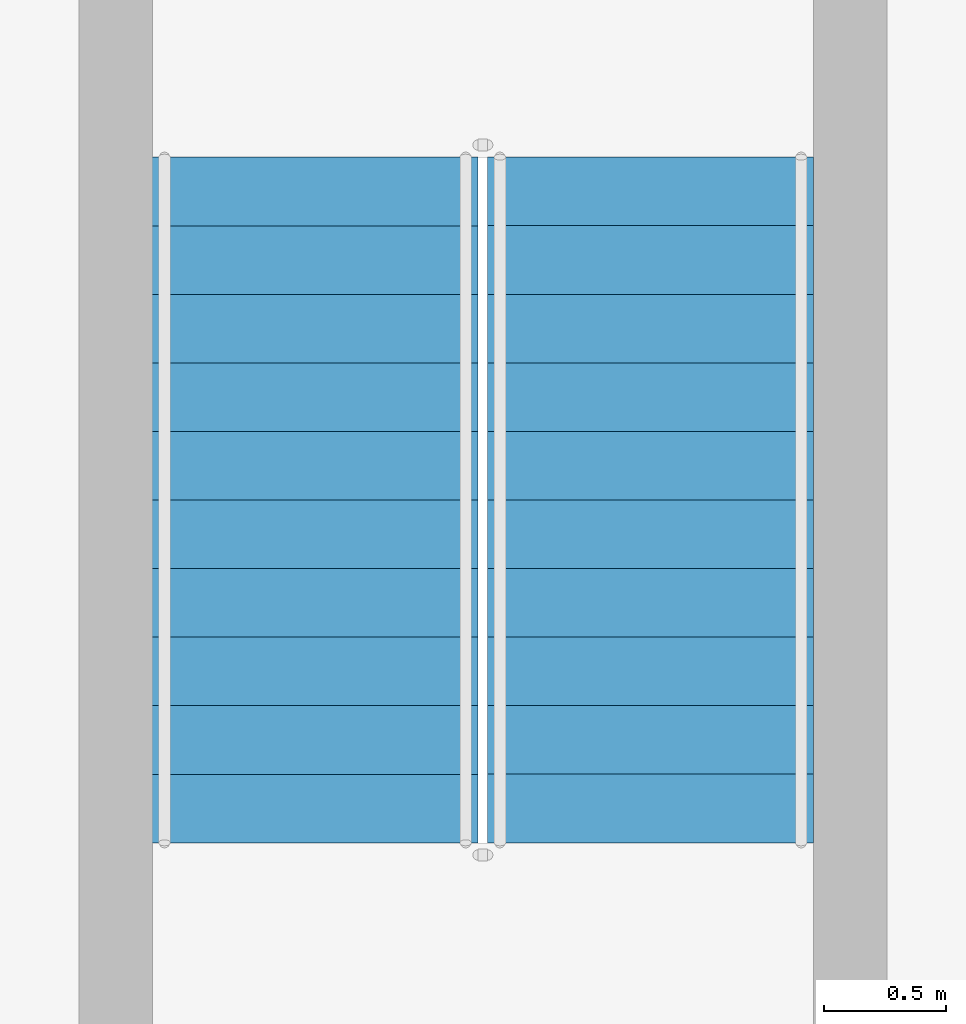
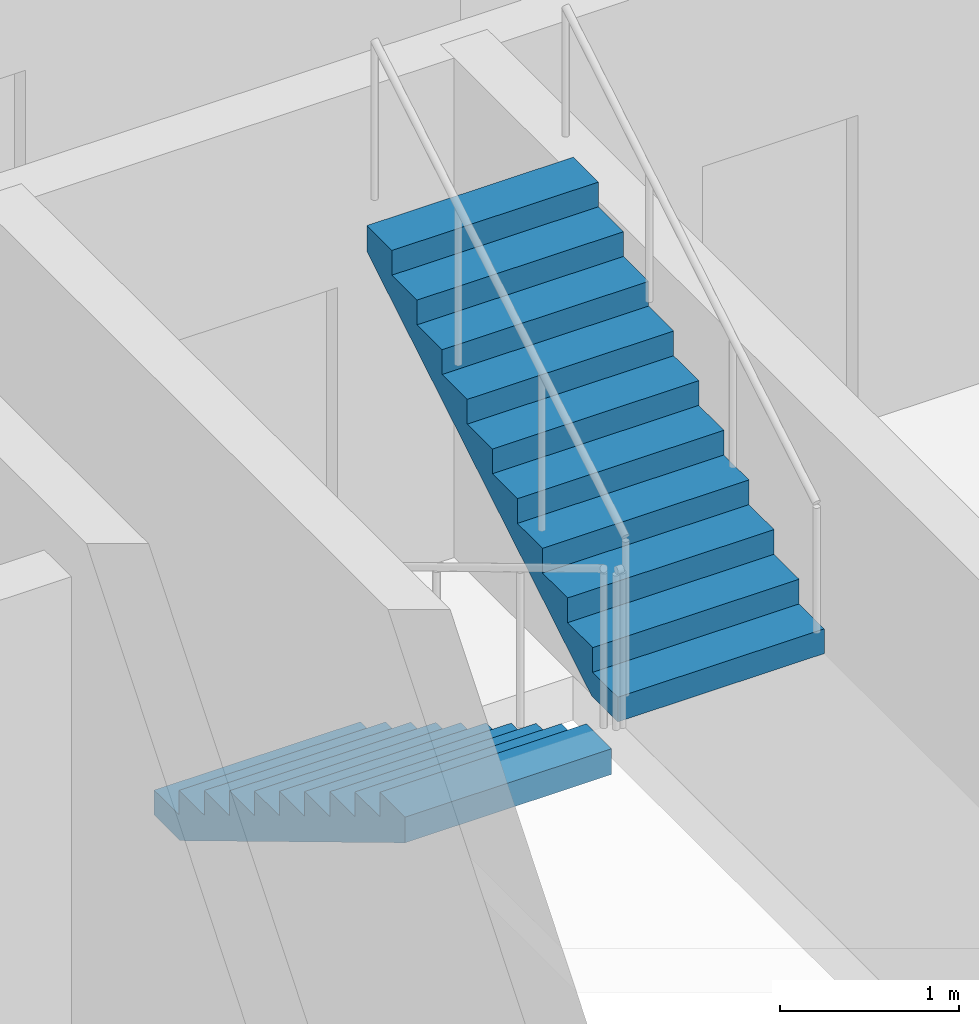
# One storey, part 25 of 32: 2 stair flights, 1 element without a shape of its own.
"""IFC4 building model written with IfcOpenShell, lengths in metres."""

from ifc_helpers import new_model, si_unit, direction, frame, origin, place, context, subcontext, project, spatial, triangles, source, transform, mapped, material, type_object, element, aggregate, save


model = new_model("IFC4")

# Units and contexts
model_context = context("Model", 3, precision=1e-05, world=origin(), true_north=direction((0.0, 1.0)))
body_context = subcontext(model_context, "Body", "Model", "MODEL_VIEW")
ifc_project = project(units=[si_unit("LENGTHUNIT", "METRE"), si_unit("AREAUNIT", "SQUARE_METRE"), si_unit("VOLUMEUNIT", "CUBIC_METRE"), si_unit("PLANEANGLEUNIT", "RADIAN"), si_unit("MASSUNIT", "GRAM", prefix="KILO")], contexts=[model_context])

# Site, building, storey
site_placement = place(None, origin())
site = spatial("IfcSite", under=ifc_project, at=site_placement, CompositionType="ELEMENT")
building_placement = place(site_placement, origin())
building = spatial("IfcBuilding", under=site, at=building_placement, Name="Ogive Portal Towers", CompositionType="ELEMENT")
storey_placement = place(building_placement, frame((0.0, 0.0, 59.39990234375)))
storey = spatial("IfcBuildingStorey", under=building, at=storey_placement, Name="L13", CompositionType="ELEMENT", Elevation=59.39990234375)

# Stair, stair flights
ifc_material = material(Name="Concrete C40/50", Category="concrete")
stair_type = type_object("IfcStairType", Name="INT-STAIR", PredefinedType="HALF_TURN_STAIR", material=ifc_material)
stair_placement = place(storey_placement, origin())
stair = element("IfcStair", 1, at=stair_placement, inside=storey, type_object=stair_type, Name="L13 Exit Stair ST-A4", PredefinedType="HALF_TURN_STAIR")
stair_flight_type = type_object("IfcStairFlightType", Name="INT-FLIGHT", PredefinedType="STRAIGHT", material=ifc_material)
shared_shape = source(origin(), body_context, "Body", "Tessellation", [
    triangles([(0.0, -0.6650390625, 0.0), (0.0, -0.384765625, 0.0), (0.0, -0.197021484375, 0.0), (0.0, -0.0830078125, 0.0), (0.0, -0.024658203125, 0.0), (0.0, -0.003173828125, 0.0), (0.0, 0.0, 0.0), (0.0, 0.003173828125, 0.0), (0.0, 0.024658203125, 0.0), (0.0, 0.0830078125, 0.0), (0.0, 0.197021484375, 0.0), (0.0, 0.384765625, 0.0), (0.0, 0.6650390625, 0.0), (0.0, -0.6650390625, 0.168212890625), (0.0, -0.384765625, 0.168212890625), (0.0, -0.197021484375, 0.168212890625), (0.0, -0.0830078125, 0.168212890625), (0.0, -0.024658203125, 0.168212890625), (0.0, -0.003173828125, 0.168212890625), (0.0, 0.0, 0.168212890625), (0.0, 0.003173828125, 0.168212890625), (0.0, 0.024658203125, 0.168212890625), (0.0, 0.0830078125, 0.168212890625), (0.0, 0.197021484375, 0.168212890625), (0.0, 0.384765625, 0.168212890625), (0.0, 0.6650390625, 0.168212890625), (0.280029296875, -0.6650390625, 0.168212890625), (0.280029296875, -0.384765625, 0.168212890625), (0.280029296875, -0.197021484375, 0.168212890625), (0.280029296875, -0.0830078125, 0.168212890625), (0.280029296875, -0.024658203125, 0.168212890625), (0.280029296875, -0.003173828125, 0.168212890625), (0.280029296875, 0.0, 0.168212890625), (0.280029296875, 0.003173828125, 0.168212890625), (0.280029296875, 0.024658203125, 0.168212890625), (0.280029296875, 0.0830078125, 0.168212890625), (0.280029296875, 0.197021484375, 0.168212890625), (0.280029296875, 0.384765625, 0.168212890625), (0.280029296875, 0.6650390625, 0.168212890625), (0.280029296875, -0.6650390625, 0.33642578125), (0.280029296875, -0.384765625, 0.33642578125), (0.280029296875, -0.197021484375, 0.33642578125), (0.280029296875, -0.0830078125, 0.33642578125), (0.280029296875, -0.024658203125, 0.33642578125), (0.280029296875, -0.003173828125, 0.33642578125), (0.280029296875, 0.0, 0.33642578125), (0.280029296875, 0.003173828125, 0.33642578125), (0.280029296875, 0.024658203125, 0.33642578125), (0.280029296875, 0.0830078125, 0.33642578125), (0.280029296875, 0.197021484375, 0.33642578125), (0.280029296875, 0.384765625, 0.33642578125), (0.280029296875, 0.6650390625, 0.33642578125), (0.56005859375, -0.6650390625, 0.33642578125), (0.56005859375, -0.384765625, 0.33642578125), (0.56005859375, -0.197021484375, 0.33642578125), (0.56005859375, -0.0830078125, 0.33642578125), (0.56005859375, -0.024658203125, 0.33642578125), (0.56005859375, -0.003173828125, 0.33642578125), (0.56005859375, 0.0, 0.33642578125), (0.56005859375, 0.003173828125, 0.33642578125), (0.56005859375, 0.024658203125, 0.33642578125), (0.56005859375, 0.0830078125, 0.33642578125), (0.56005859375, 0.197021484375, 0.33642578125), (0.56005859375, 0.384765625, 0.33642578125), (0.56005859375, 0.6650390625, 0.33642578125), (0.56005859375, -0.6650390625, 0.504638671875), (0.56005859375, -0.384765625, 0.504638671875), (0.56005859375, -0.197021484375, 0.504638671875), (0.56005859375, -0.0830078125, 0.504638671875), (0.56005859375, -0.024658203125, 0.504638671875), (0.56005859375, -0.003173828125, 0.504638671875), (0.56005859375, 0.0, 0.504638671875), (0.56005859375, 0.003173828125, 0.504638671875), (0.56005859375, 0.024658203125, 0.504638671875), (0.56005859375, 0.0830078125, 0.504638671875), (0.56005859375, 0.197021484375, 0.504638671875), (0.56005859375, 0.384765625, 0.504638671875), (0.56005859375, 0.6650390625, 0.504638671875), (0.840087890625, -0.6650390625, 0.504638671875), (0.840087890625, -0.384765625, 0.504638671875), (0.840087890625, -0.197021484375, 0.504638671875), (0.840087890625, -0.0830078125, 0.504638671875), (0.840087890625, -0.024658203125, 0.504638671875), (0.840087890625, -0.003173828125, 0.504638671875), (0.840087890625, 0.0, 0.504638671875), (0.840087890625, 0.003173828125, 0.504638671875), (0.840087890625, 0.024658203125, 0.504638671875), (0.840087890625, 0.0830078125, 0.504638671875), (0.840087890625, 0.197021484375, 0.504638671875), (0.840087890625, 0.384765625, 0.504638671875), (0.840087890625, 0.6650390625, 0.504638671875), (0.840087890625, -0.6650390625, 0.672607421875), (0.840087890625, -0.384765625, 0.672607421875), (0.840087890625, -0.197021484375, 0.672607421875), (0.840087890625, -0.0830078125, 0.672607421875), (0.840087890625, -0.024658203125, 0.672607421875), (0.840087890625, -0.003173828125, 0.672607421875), (0.840087890625, 0.0, 0.672607421875), (0.840087890625, 0.003173828125, 0.672607421875), (0.840087890625, 0.024658203125, 0.672607421875), (0.840087890625, 0.0830078125, 0.672607421875), (0.840087890625, 0.197021484375, 0.672607421875), (0.840087890625, 0.384765625, 0.672607421875), (0.840087890625, 0.6650390625, 0.672607421875), (1.1201171875, -0.6650390625, 0.672607421875), (1.1201171875, -0.384765625, 0.672607421875), (1.1201171875, -0.197021484375, 0.672607421875), (1.1201171875, -0.0830078125, 0.672607421875), (1.1201171875, -0.024658203125, 0.672607421875), (1.1201171875, -0.003173828125, 0.672607421875), (1.1201171875, 0.0, 0.672607421875), (1.1201171875, 0.003173828125, 0.672607421875), (1.1201171875, 0.024658203125, 0.672607421875), (1.1201171875, 0.0830078125, 0.672607421875), (1.1201171875, 0.197021484375, 0.672607421875), (1.1201171875, 0.384765625, 0.672607421875), (1.1201171875, 0.6650390625, 0.672607421875), (1.1201171875, -0.6650390625, 0.8408203125), (1.1201171875, -0.384765625, 0.8408203125), (1.1201171875, -0.197021484375, 0.8408203125), (1.1201171875, -0.0830078125, 0.8408203125), (1.1201171875, -0.024658203125, 0.8408203125), (1.1201171875, -0.003173828125, 0.8408203125), (1.1201171875, 0.0, 0.8408203125), (1.1201171875, 0.003173828125, 0.8408203125), (1.1201171875, 0.024658203125, 0.8408203125), (1.1201171875, 0.0830078125, 0.8408203125), (1.1201171875, 0.197021484375, 0.8408203125), (1.1201171875, 0.384765625, 0.8408203125), (1.1201171875, 0.6650390625, 0.8408203125), (1.39990234375, -0.6650390625, 0.8408203125), (1.39990234375, -0.384765625, 0.8408203125), (1.39990234375, -0.197021484375, 0.8408203125), (1.39990234375, -0.0830078125, 0.8408203125), (1.39990234375, -0.024658203125, 0.8408203125), (1.39990234375, -0.003173828125, 0.8408203125), (1.39990234375, 0.0, 0.8408203125), (1.39990234375, 0.003173828125, 0.8408203125), (1.39990234375, 0.024658203125, 0.8408203125), (1.39990234375, 0.0830078125, 0.8408203125), (1.39990234375, 0.197021484375, 0.8408203125), (1.39990234375, 0.384765625, 0.8408203125), (1.39990234375, 0.6650390625, 0.8408203125), (1.39990234375, -0.6650390625, 1.009033203125), (1.39990234375, -0.384765625, 1.009033203125), (1.39990234375, -0.197021484375, 1.009033203125), (1.39990234375, -0.0830078125, 1.009033203125), (1.39990234375, -0.024658203125, 1.009033203125), (1.39990234375, -0.003173828125, 1.009033203125), (1.39990234375, 0.0, 1.009033203125), (1.39990234375, 0.003173828125, 1.009033203125), (1.39990234375, 0.024658203125, 1.009033203125), (1.39990234375, 0.0830078125, 1.009033203125), (1.39990234375, 0.197021484375, 1.009033203125), (1.39990234375, 0.384765625, 1.009033203125), (1.39990234375, 0.6650390625, 1.009033203125), (1.679931640625, -0.6650390625, 1.009033203125), (1.679931640625, -0.384765625, 1.009033203125), (1.679931640625, -0.197021484375, 1.009033203125), (1.679931640625, -0.0830078125, 1.009033203125), (1.679931640625, -0.024658203125, 1.009033203125), (1.679931640625, -0.003173828125, 1.009033203125), (1.679931640625, 0.0, 1.009033203125), (1.679931640625, 0.003173828125, 1.009033203125), (1.679931640625, 0.024658203125, 1.009033203125), (1.679931640625, 0.0830078125, 1.009033203125), (1.679931640625, 0.197021484375, 1.009033203125), (1.679931640625, 0.384765625, 1.009033203125), (1.679931640625, 0.6650390625, 1.009033203125), (1.679931640625, -0.6650390625, 1.17724609375), (1.679931640625, -0.384765625, 1.17724609375), (1.679931640625, -0.197021484375, 1.17724609375), (1.679931640625, -0.0830078125, 1.17724609375), (1.679931640625, -0.024658203125, 1.17724609375), (1.679931640625, -0.003173828125, 1.17724609375), (1.679931640625, 0.0, 1.17724609375), (1.679931640625, 0.003173828125, 1.17724609375), (1.679931640625, 0.024658203125, 1.17724609375), (1.679931640625, 0.0830078125, 1.17724609375), (1.679931640625, 0.197021484375, 1.17724609375), (1.679931640625, 0.384765625, 1.17724609375), (1.679931640625, 0.6650390625, 1.17724609375), (1.9599609375, -0.6650390625, 1.17724609375), (1.9599609375, -0.384765625, 1.17724609375), (1.9599609375, -0.197021484375, 1.17724609375), (1.9599609375, -0.0830078125, 1.17724609375), (1.9599609375, -0.024658203125, 1.17724609375), (1.9599609375, -0.003173828125, 1.17724609375), (1.9599609375, 0.0, 1.17724609375), (1.9599609375, 0.003173828125, 1.17724609375), (1.9599609375, 0.024658203125, 1.17724609375), (1.9599609375, 0.0830078125, 1.17724609375), (1.9599609375, 0.197021484375, 1.17724609375), (1.9599609375, 0.384765625, 1.17724609375), (1.9599609375, 0.6650390625, 1.17724609375), (1.9599609375, -0.6650390625, 1.345458984375), (1.9599609375, -0.384765625, 1.345458984375), (1.9599609375, -0.197021484375, 1.345458984375), (1.9599609375, -0.0830078125, 1.345458984375), (1.9599609375, -0.024658203125, 1.345458984375), (1.9599609375, -0.003173828125, 1.345458984375), (1.9599609375, 0.0, 1.345458984375), (1.9599609375, 0.003173828125, 1.345458984375), (1.9599609375, 0.024658203125, 1.345458984375), (1.9599609375, 0.0830078125, 1.345458984375), (1.9599609375, 0.197021484375, 1.345458984375), (1.9599609375, 0.384765625, 1.345458984375), (1.9599609375, 0.6650390625, 1.345458984375), (2.239990234375, -0.6650390625, 1.345458984375), (2.239990234375, -0.384765625, 1.345458984375), (2.239990234375, -0.197021484375, 1.345458984375), (2.239990234375, -0.0830078125, 1.345458984375), (2.239990234375, -0.024658203125, 1.345458984375), (2.239990234375, -0.003173828125, 1.345458984375), (2.239990234375, 0.0, 1.345458984375), (2.239990234375, 0.003173828125, 1.345458984375), (2.239990234375, 0.024658203125, 1.345458984375), (2.239990234375, 0.0830078125, 1.345458984375), (2.239990234375, 0.197021484375, 1.345458984375), (2.239990234375, 0.384765625, 1.345458984375), (2.239990234375, 0.6650390625, 1.345458984375), (2.239990234375, -0.6650390625, 1.513671875), (2.239990234375, -0.384765625, 1.513671875), (2.239990234375, -0.197021484375, 1.513671875), (2.239990234375, -0.0830078125, 1.513671875), (2.239990234375, -0.024658203125, 1.513671875), (2.239990234375, -0.003173828125, 1.513671875), (2.239990234375, 0.0, 1.513671875), (2.239990234375, 0.003173828125, 1.513671875), (2.239990234375, 0.024658203125, 1.513671875), (2.239990234375, 0.0830078125, 1.513671875), (2.239990234375, 0.197021484375, 1.513671875), (2.239990234375, 0.384765625, 1.513671875), (2.239990234375, 0.6650390625, 1.513671875), (2.52001953125, -0.6650390625, 1.513671875), (2.52001953125, -0.384765625, 1.513671875), (2.52001953125, -0.197021484375, 1.513671875), (2.52001953125, -0.0830078125, 1.513671875), (2.52001953125, -0.024658203125, 1.513671875), (2.52001953125, -0.003173828125, 1.513671875), (2.52001953125, 0.0, 1.513671875), (2.52001953125, 0.003173828125, 1.513671875), (2.52001953125, 0.024658203125, 1.513671875), (2.52001953125, 0.0830078125, 1.513671875), (2.52001953125, 0.197021484375, 1.513671875), (2.52001953125, 0.384765625, 1.513671875), (2.52001953125, 0.6650390625, 1.513671875), (2.52001953125, -0.6650390625, 1.681884765625), (2.52001953125, -0.384765625, 1.681884765625), (2.52001953125, -0.197021484375, 1.681884765625), (2.52001953125, -0.0830078125, 1.681884765625), (2.52001953125, -0.024658203125, 1.681884765625), (2.52001953125, -0.003173828125, 1.681884765625), (2.52001953125, 0.0, 1.681884765625), (2.52001953125, 0.003173828125, 1.681884765625), (2.52001953125, 0.024658203125, 1.681884765625), (2.52001953125, 0.0830078125, 1.681884765625), (2.52001953125, 0.197021484375, 1.681884765625), (2.52001953125, 0.384765625, 1.681884765625), (2.52001953125, 0.6650390625, 1.681884765625), (2.800048828125, -0.6650390625, 1.681884765625), (2.800048828125, -0.384765625, 1.681884765625), (2.800048828125, -0.197021484375, 1.681884765625), (2.800048828125, -0.0830078125, 1.681884765625), (2.800048828125, -0.024658203125, 1.681884765625), (2.800048828125, -0.003173828125, 1.681884765625), (2.800048828125, 0.0, 1.681884765625), (2.800048828125, 0.003173828125, 1.681884765625), (2.800048828125, 0.024658203125, 1.681884765625), (2.800048828125, 0.0830078125, 1.681884765625), (2.800048828125, 0.197021484375, 1.681884765625), (2.800048828125, 0.384765625, 1.681884765625), (2.800048828125, 0.6650390625, 1.681884765625), (2.800048828125, -0.6650390625, 1.5068359375), (2.800048828125, -0.384765625, 1.5068359375), (2.800048828125, -0.197021484375, 1.5068359375), (2.800048828125, -0.0830078125, 1.5068359375), (2.800048828125, -0.024658203125, 1.5068359375), (2.800048828125, -0.003173828125, 1.5068359375), (2.800048828125, 0.0, 1.5068359375), (2.800048828125, 0.003173828125, 1.5068359375), (2.800048828125, 0.024658203125, 1.5068359375), (2.800048828125, 0.0830078125, 1.5068359375), (2.800048828125, 0.197021484375, 1.5068359375), (2.800048828125, 0.384765625, 1.5068359375), (2.800048828125, 0.6650390625, 1.5068359375), (0.291015625, -0.6650390625, 0.0), (0.291015625, -0.384765625, 0.0), (0.291015625, -0.197021484375, 0.0), (0.291015625, -0.0830078125, 0.0), (0.291015625, -0.024658203125, 0.0), (0.291015625, -0.003173828125, 0.0), (0.291015625, 0.0, 0.0), (0.291015625, 0.003173828125, 0.0), (0.291015625, 0.024658203125, 0.0), (0.291015625, 0.0830078125, 0.0), (0.291015625, 0.197021484375, 0.0), (0.291015625, 0.384765625, 0.0), (0.291015625, 0.6650390625, 0.0)], [[1, 14, 15], [1, 15, 2], [2, 15, 16], [2, 16, 3], [3, 16, 17], [3, 17, 4], [4, 17, 18], [4, 18, 5], [5, 18, 19], [5, 19, 6], [6, 19, 20], [6, 20, 7], [7, 20, 21], [7, 21, 8], [8, 21, 22], [8, 22, 9], [9, 22, 23], [9, 23, 10], [10, 23, 24], [10, 24, 11], [11, 24, 25], [11, 25, 12], [12, 25, 26], [12, 26, 13], [14, 27, 28], [14, 28, 15], [15, 28, 29], [15, 29, 16], [16, 29, 30], [16, 30, 17], [17, 30, 31], [17, 31, 18], [18, 31, 32], [18, 32, 19], [19, 32, 33], [19, 33, 20], [20, 33, 34], [20, 34, 21], [21, 34, 35], [21, 35, 22], [22, 35, 36], [22, 36, 23], [23, 36, 37], [23, 37, 24], [24, 37, 38], [24, 38, 25], [25, 38, 39], [25, 39, 26], [27, 40, 41], [27, 41, 28], [28, 41, 42], [28, 42, 29], [29, 42, 43], [29, 43, 30], [30, 43, 44], [30, 44, 31], [31, 44, 45], [31, 45, 32], [32, 45, 46], [32, 46, 33], [33, 46, 47], [33, 47, 34], [34, 47, 48], [34, 48, 35], [35, 48, 49], [35, 49, 36], [36, 49, 50], [36, 50, 37], [37, 50, 51], [37, 51, 38], [38, 51, 52], [38, 52, 39], [40, 53, 54], [40, 54, 41], [41, 54, 55], [41, 55, 42], [42, 55, 56], [42, 56, 43], [43, 56, 57], [43, 57, 44], [44, 57, 58], [44, 58, 45], [45, 58, 59], [45, 59, 46], [46, 59, 60], [46, 60, 47], [47, 60, 61], [47, 61, 48], [48, 61, 62], [48, 62, 49], [49, 62, 63], [49, 63, 50], [50, 63, 64], [50, 64, 51], [51, 64, 65], [51, 65, 52], [53, 66, 67], [53, 67, 54], [54, 67, 68], [54, 68, 55], [55, 68, 69], [55, 69, 56], [56, 69, 70], [56, 70, 57], [57, 70, 71], [57, 71, 58], [58, 71, 72], [58, 72, 59], [59, 72, 73], [59, 73, 60], [60, 73, 74], [60, 74, 61], [61, 74, 75], [61, 75, 62], [62, 75, 76], [62, 76, 63], [63, 76, 77], [63, 77, 64], [64, 77, 78], [64, 78, 65], [66, 79, 80], [66, 80, 67], [67, 80, 81], [67, 81, 68], [68, 81, 82], [68, 82, 69], [69, 82, 83], [69, 83, 70], [70, 83, 84], [70, 84, 71], [71, 84, 85], [71, 85, 72], [72, 85, 86], [72, 86, 73], [73, 86, 87], [73, 87, 74], [74, 87, 88], [74, 88, 75], [75, 88, 89], [75, 89, 76], [76, 89, 90], [76, 90, 77], [77, 90, 91], [77, 91, 78], [79, 92, 93], [79, 93, 80], [80, 93, 94], [80, 94, 81], [81, 94, 95], [81, 95, 82], [82, 95, 96], [82, 96, 83], [83, 96, 97], [83, 97, 84], [84, 97, 98], [84, 98, 85], [85, 98, 99], [85, 99, 86], [86, 99, 100], [86, 100, 87], [87, 100, 101], [87, 101, 88], [88, 101, 102], [88, 102, 89], [89, 102, 103], [89, 103, 90], [90, 103, 104], [90, 104, 91], [92, 105, 106], [92, 106, 93], [93, 106, 107], [93, 107, 94], [94, 107, 108], [94, 108, 95], [95, 108, 109], [95, 109, 96], [96, 109, 110], [96, 110, 97], [97, 110, 111], [97, 111, 98], [98, 111, 112], [98, 112, 99], [99, 112, 113], [99, 113, 100], [100, 113, 114], [100, 114, 101], [101, 114, 115], [101, 115, 102], [102, 115, 116], [102, 116, 103], [103, 116, 117], [103, 117, 104], [105, 118, 119], [105, 119, 106], [106, 119, 120], [106, 120, 107], [107, 120, 121], [107, 121, 108], [108, 121, 122], [108, 122, 109], [109, 122, 123], [109, 123, 110], [110, 123, 124], [110, 124, 111], [111, 124, 125], [111, 125, 112], [112, 125, 126], [112, 126, 113], [113, 126, 127], [113, 127, 114], [114, 127, 128], [114, 128, 115], [115, 128, 129], [115, 129, 116], [116, 129, 130], [116, 130, 117], [118, 131, 132], [118, 132, 119], [119, 132, 133], [119, 133, 120], [120, 133, 134], [120, 134, 121], [121, 134, 135], [121, 135, 122], [122, 135, 136], [122, 136, 123], [123, 136, 137], [123, 137, 124], [124, 137, 138], [124, 138, 125], [125, 138, 139], [125, 139, 126], [126, 139, 140], [126, 140, 127], [127, 140, 141], [127, 141, 128], [128, 141, 142], [128, 142, 129], [129, 142, 143], [129, 143, 130], [131, 144, 145], [131, 145, 132], [132, 145, 146], [132, 146, 133], [133, 146, 147], [133, 147, 134], [134, 147, 148], [134, 148, 135], [135, 148, 149], [135, 149, 136], [136, 149, 150], [136, 150, 137], [137, 150, 151], [137, 151, 138], [138, 151, 152], [138, 152, 139], [139, 152, 153], [139, 153, 140], [140, 153, 154], [140, 154, 141], [141, 154, 155], [141, 155, 142], [142, 155, 156], [142, 156, 143], [144, 157, 158], [144, 158, 145], [145, 158, 159], [145, 159, 146], [146, 159, 160], [146, 160, 147], [147, 160, 161], [147, 161, 148], [148, 161, 162], [148, 162, 149], [149, 162, 163], [149, 163, 150], [150, 163, 164], [150, 164, 151], [151, 164, 165], [151, 165, 152], [152, 165, 166], [152, 166, 153], [153, 166, 167], [153, 167, 154], [154, 167, 168], [154, 168, 155], [155, 168, 169], [155, 169, 156], [157, 170, 171], [157, 171, 158], [158, 171, 172], [158, 172, 159], [159, 172, 173], [159, 173, 160], [160, 173, 174], [160, 174, 161], [161, 174, 175], [161, 175, 162], [162, 175, 176], [162, 176, 163], [163, 176, 177], [163, 177, 164], [164, 177, 178], [164, 178, 165], [165, 178, 179], [165, 179, 166], [166, 179, 180], [166, 180, 167], [167, 180, 181], [167, 181, 168], [168, 181, 182], [168, 182, 169], [170, 183, 184], [170, 184, 171], [171, 184, 185], [171, 185, 172], [172, 185, 186], [172, 186, 173], [173, 186, 187], [173, 187, 174], [174, 187, 188], [174, 188, 175], [175, 188, 189], [175, 189, 176], [176, 189, 190], [176, 190, 177], [177, 190, 191], [177, 191, 178], [178, 191, 192], [178, 192, 179], [179, 192, 193], [179, 193, 180], [180, 193, 194], [180, 194, 181], [181, 194, 195], [181, 195, 182], [183, 196, 197], [183, 197, 184], [184, 197, 198], [184, 198, 185], [185, 198, 199], [185, 199, 186], [186, 199, 200], [186, 200, 187], [187, 200, 201], [187, 201, 188], [188, 201, 202], [188, 202, 189], [189, 202, 203], [189, 203, 190], [190, 203, 204], [190, 204, 191], [191, 204, 205], [191, 205, 192], [192, 205, 206], [192, 206, 193], [193, 206, 207], [193, 207, 194], [194, 207, 208], [194, 208, 195], [196, 209, 210], [196, 210, 197], [197, 210, 211], [197, 211, 198], [198, 211, 212], [198, 212, 199], [199, 212, 213], [199, 213, 200], [200, 213, 214], [200, 214, 201], [201, 214, 215], [201, 215, 202], [202, 215, 216], [202, 216, 203], [203, 216, 217], [203, 217, 204], [204, 217, 218], [204, 218, 205], [205, 218, 219], [205, 219, 206], [206, 219, 220], [206, 220, 207], [207, 220, 221], [207, 221, 208], [209, 222, 223], [209, 223, 210], [210, 223, 224], [210, 224, 211], [211, 224, 225], [211, 225, 212], [212, 225, 226], [212, 226, 213], [213, 226, 227], [213, 227, 214], [214, 227, 228], [214, 228, 215], [215, 228, 229], [215, 229, 216], [216, 229, 230], [216, 230, 217], [217, 230, 231], [217, 231, 218], [218, 231, 232], [218, 232, 219], [219, 232, 233], [219, 233, 220], [220, 233, 234], [220, 234, 221], [222, 235, 236], [222, 236, 223], [223, 236, 237], [223, 237, 224], [224, 237, 238], [224, 238, 225], [225, 238, 239], [225, 239, 226], [226, 239, 240], [226, 240, 227], [227, 240, 241], [227, 241, 228], [228, 241, 242], [228, 242, 229], [229, 242, 243], [229, 243, 230], [230, 243, 244], [230, 244, 231], [231, 244, 245], [231, 245, 232], [232, 245, 246], [232, 246, 233], [233, 246, 247], [233, 247, 234], [235, 248, 249], [235, 249, 236], [236, 249, 250], [236, 250, 237], [237, 250, 251], [237, 251, 238], [238, 251, 252], [238, 252, 239], [239, 252, 253], [239, 253, 240], [240, 253, 254], [240, 254, 241], [241, 254, 255], [241, 255, 242], [242, 255, 256], [242, 256, 243], [243, 256, 257], [243, 257, 244], [244, 257, 258], [244, 258, 245], [245, 258, 259], [245, 259, 246], [246, 259, 260], [246, 260, 247], [248, 261, 262], [248, 262, 249], [249, 262, 263], [249, 263, 250], [250, 263, 264], [250, 264, 251], [251, 264, 265], [251, 265, 252], [252, 265, 266], [252, 266, 253], [253, 266, 267], [253, 267, 254], [254, 267, 268], [254, 268, 255], [255, 268, 269], [255, 269, 256], [256, 269, 270], [256, 270, 257], [257, 270, 271], [257, 271, 258], [258, 271, 272], [258, 272, 259], [259, 272, 273], [259, 273, 260], [261, 274, 275], [261, 275, 262], [262, 275, 276], [262, 276, 263], [263, 276, 277], [263, 277, 264], [264, 277, 278], [264, 278, 265], [265, 278, 279], [265, 279, 266], [266, 279, 280], [266, 280, 267], [267, 280, 281], [267, 281, 268], [268, 281, 282], [268, 282, 269], [269, 282, 283], [269, 283, 270], [270, 283, 284], [270, 284, 271], [271, 284, 285], [271, 285, 272], [272, 285, 286], [272, 286, 273], [274, 287, 288], [274, 288, 275], [275, 288, 289], [275, 289, 276], [276, 289, 290], [276, 290, 277], [277, 290, 291], [277, 291, 278], [278, 291, 292], [278, 292, 279], [279, 292, 293], [279, 293, 280], [280, 293, 294], [280, 294, 281], [281, 294, 295], [281, 295, 282], [282, 295, 296], [282, 296, 283], [283, 296, 297], [283, 297, 284], [284, 297, 298], [284, 298, 285], [285, 298, 299], [285, 299, 286], [287, 1, 2], [287, 2, 288], [288, 2, 3], [288, 3, 289], [289, 3, 4], [289, 4, 290], [290, 4, 5], [290, 5, 291], [291, 5, 6], [291, 6, 292], [292, 6, 7], [292, 7, 293], [293, 7, 8], [293, 8, 294], [294, 8, 9], [294, 9, 295], [295, 9, 10], [295, 10, 296], [296, 10, 11], [296, 11, 297], [297, 11, 12], [297, 12, 298], [298, 12, 13], [298, 13, 299], [1, 287, 274], [13, 286, 299], [274, 261, 248], [286, 260, 273], [274, 248, 235], [286, 247, 260], [274, 235, 222], [286, 234, 247], [274, 222, 209], [286, 221, 234], [209, 196, 183], [221, 195, 208], [274, 209, 183], [286, 195, 221], [183, 170, 157], [195, 169, 182], [274, 183, 157], [286, 169, 195], [157, 144, 131], [169, 143, 156], [274, 157, 131], [286, 143, 169], [131, 118, 105], [143, 117, 130], [274, 131, 105], [286, 117, 143], [1, 274, 105], [13, 117, 286], [105, 92, 79], [117, 91, 104], [79, 66, 53], [91, 65, 78], [105, 79, 53], [117, 65, 91], [53, 40, 27], [65, 39, 52], [105, 53, 27], [117, 39, 65], [1, 105, 27], [13, 39, 117], [27, 14, 1], [39, 13, 26]], closed=True),
])
stair_flight_1_placement = place(storey_placement, frame((87.6650390625, 29.169921875, 0.0), z_axis=(0.0, 0.0, 1.0), x_axis=(0.0, -1.0, 0.0)))
stair_flight_1 = element("IfcStairFlight", 2, at=stair_flight_1_placement, type_object=stair_flight_type, Name="ST-A4 flight 1", NumberOfRisers=11, NumberOfTreads=10, PredefinedType="STRAIGHT", RiserHeight=0.168181818, TreadLength=0.28, context=body_context, shape_type="MappedRepresentation", body=[
    mapped(shared_shape, transform((0.0, 0.0, 0.0), scale=1.0)),
])
stair_flight_2_placement = place(storey_placement, frame((89.034912109375, 26.3701171875, 1.85009765625), z_axis=(0.0, 0.0, 1.0), x_axis=(0.0, 1.0, 0.0)))
stair_flight_2 = element("IfcStairFlight", 3, at=stair_flight_2_placement, type_object=stair_flight_type, Name="ST-A4 flight 2", NumberOfRisers=11, NumberOfTreads=10, PredefinedType="STRAIGHT", RiserHeight=0.168181818, TreadLength=0.28, context=body_context, shape_type="MappedRepresentation", body=[
    mapped(shared_shape, transform((0.0, 0.0, 0.0), scale=1.0)),
])
aggregate(stair, [stair_flight_1, stair_flight_2])

save(model, "model.ifc")
